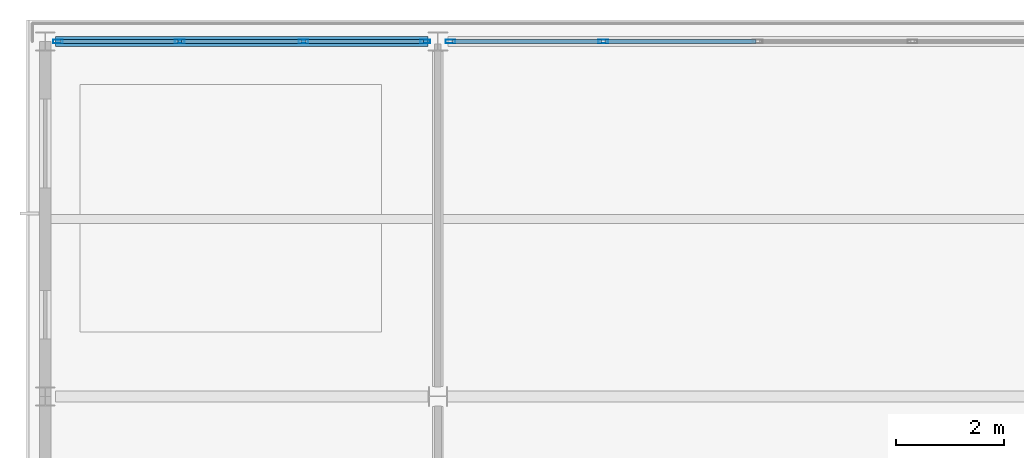
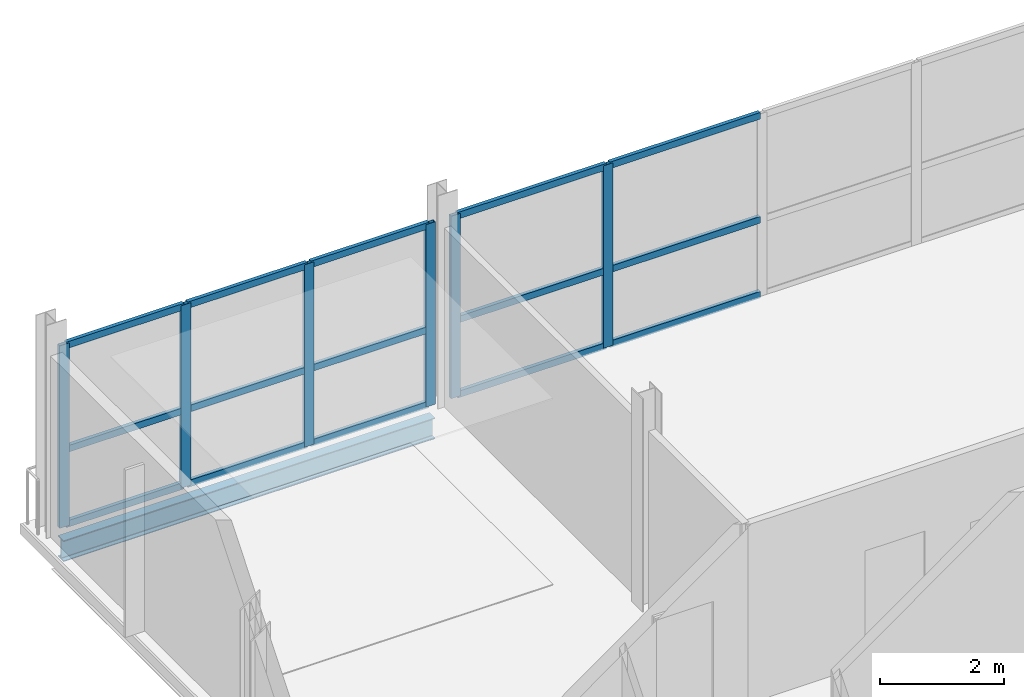
# One storey, part 7 of 17: 21 members, 1 beam, 2 elements without a shape of their own.
"""IFC4 building model written with IfcOpenShell, lengths in metres."""

import ifcopenshell
import ifcopenshell.guid

model = None  # the IFC model being written
_history = None  # IfcOwnerHistory: only IFC2X3 demands one
_inside = {}  # id of a spatial element -> (the spatial element, [elements in it])
_under = {}  # id of a project, library or spatial element -> (it, [spatial elements below it])
_declared = {}  # id of a project -> (the project, [libraries it declares])
_typed = {}  # id of a type object -> (the type object, [elements of that type])
_made_of = {}  # id of a material, layer set ... -> (it, [elements and type objects made of it])


def new_model(schema):
    """Start an empty IFC model of exactly this schema.

    Asked for "IFC4X3", IfcOpenShell would pick the latest addendum, in which some entities
    have other attributes; the version numbers below select the first issue.
    IFC2X3 requires an IfcOwnerHistory on every rooted entity: one is made here for all.
    """
    global model, _history
    if schema == "IFC4X3":
        model = ifcopenshell.file(schema_version=(4, 3, 0, 0))
    else:
        model = ifcopenshell.file(schema=schema)
    _inside.clear()
    _under.clear()
    _declared.clear()
    _typed.clear()
    _made_of.clear()
    _history = None
    if model.schema == "IFC2X3":
        org = make("IfcOrganization", Name="unknown")
        user = make(
            "IfcPersonAndOrganization",
            ThePerson=make("IfcPerson", FamilyName="unknown"),
            TheOrganization=org,
        )
        app = make(
            "IfcApplication",
            ApplicationDeveloper=org,
            Version="unknown",
            ApplicationFullName="unknown",
            ApplicationIdentifier="unknown",
        )
        _history = make(
            "IfcOwnerHistory",
            OwningUser=user,
            OwningApplication=app,
            ChangeAction="ADDED",
            CreationDate=0,
        )
    return model


def make(cls, **values):
    """One entity of the class cls with the attributes given. An attribute that is None is left unset."""
    return model.create_entity(
        cls, **{name: value for name, value in values.items() if value is not None}
    )


def rooted(cls, **values):
    """An entity with a GlobalId (a new one), such as an element, a storey or a relation."""
    return make(cls, GlobalId=ifcopenshell.guid.new(), OwnerHistory=_history, **values)


def si_unit(unit_type, name, prefix=None):
    """IfcSIUnit, for example si_unit("LENGTHUNIT", "METRE", prefix="MILLI")."""
    return make("IfcSIUnit", UnitType=unit_type, Prefix=prefix, Name=name)


def assignment(units):
    """IfcUnitAssignment: the units of a project."""
    return None if units is None else make("IfcUnitAssignment", Units=units)


def point(xyz):
    """IfcCartesianPoint."""
    return None if xyz is None else make("IfcCartesianPoint", Coordinates=xyz)


def direction(xyz):
    """IfcDirection."""
    return None if xyz is None else make("IfcDirection", DirectionRatios=xyz)


def frame(location, z_axis=None, x_axis=None):
    """IfcAxis2Placement3D, a coordinate frame: its origin and axes. An axis left out is left unset."""
    return make(
        "IfcAxis2Placement3D",
        Location=point(location),
        Axis=direction(z_axis),
        RefDirection=direction(x_axis),
    )


def frame_2d(location, x_axis=None):
    """IfcAxis2Placement2D, a coordinate frame in the plane: its origin and x axis."""
    return make(
        "IfcAxis2Placement2D", Location=point(location), RefDirection=direction(x_axis)
    )


def origin():
    """The frame at (0, 0, 0) with its axes left unset."""
    return frame((0.0, 0.0, 0.0))


def origin_2d():
    """The frame at (0, 0) in the plane with its x axis left unset."""
    return frame_2d((0.0, 0.0))


def place(relative_to, where):
    """IfcLocalPlacement: puts the frame where relative to a parent placement (None: the world)."""
    return make(
        "IfcLocalPlacement", PlacementRelTo=relative_to, RelativePlacement=where
    )


def context(
    kind, dimensions, precision=None, world=None, true_north=None, identifier=None
):
    """IfcGeometricRepresentationContext, for example the 3D "Model" context."""
    return make(
        "IfcGeometricRepresentationContext",
        ContextIdentifier=identifier,
        ContextType=kind,
        CoordinateSpaceDimension=dimensions,
        Precision=precision,
        WorldCoordinateSystem=world,
        TrueNorth=true_north,
    )


def subcontext(parent, identifier, kind, view, scale=None):
    """IfcGeometricRepresentationSubContext, for example "Body" below "Model"."""
    return make(
        "IfcGeometricRepresentationSubContext",
        ContextIdentifier=identifier,
        ContextType=kind,
        ParentContext=parent,
        TargetScale=scale,
        TargetView=view,
    )


def project(units=None, contexts=None):
    """IfcProject with its units and contexts."""
    return rooted(
        "IfcProject",
        Name="project",
        RepresentationContexts=contexts,
        UnitsInContext=assignment(units),
    )


def spatial(cls, under=None, at=None, **own):
    """A site, building, storey or space (cls), placed at a placement, below another one or the project."""
    s = rooted(cls, ObjectPlacement=at, **own)
    if under is not None:
        _under.setdefault(under.id(), (under, []))[1].append(s)
    return s


def profile(cls, at=None, kind="AREA", **sizes):
    """A parametric profile (cls). Its sizes go by their IFC names, for example OverallWidth=200.0."""
    return make(cls, ProfileType=kind, Position=at, **sizes)


def hollow_rectangle(**sizes):
    """IfcRectangleHollowProfileDef."""
    return profile("IfcRectangleHollowProfileDef", **sizes)


def i_section(**sizes):
    """IfcIShapeProfileDef."""
    return profile("IfcIShapeProfileDef", **sizes)


def extrude(swept, where, along, depth):
    """IfcExtrudedAreaSolid: the profile swept, set in the frame where, extruded along a direction by depth."""
    return make(
        "IfcExtrudedAreaSolid",
        SweptArea=swept,
        Position=where,
        ExtrudedDirection=direction(along),
        Depth=depth,
    )


def shape(context_of_items, identifier, shape_type, items):
    """IfcShapeRepresentation: the items that make up one representation, for example the "Body"."""
    return make(
        "IfcShapeRepresentation",
        ContextOfItems=context_of_items,
        RepresentationIdentifier=identifier,
        RepresentationType=shape_type,
        Items=items,
    )


def material(Name=None, Category=None):
    """IfcMaterial."""
    return make("IfcMaterial", Name=Name, Category=Category)


def layer(
    of_material, thickness, ventilated=None, Name=None, Category=None, Priority=None
):
    """IfcMaterialLayer: one layer of a wall or slab, of a material (None: an air gap)."""
    return make(
        "IfcMaterialLayer",
        Material=of_material,
        LayerThickness=thickness,
        IsVentilated=ventilated,
        Name=Name,
        Category=Category,
        Priority=Priority,
    )


def layer_set(layers, Name=None):
    """IfcMaterialLayerSet."""
    return make("IfcMaterialLayerSet", MaterialLayers=layers, LayerSetName=Name)


def material_profile(
    of_material, cross_section, Name=None, Category=None, Priority=None
):
    """IfcMaterialProfile: a cross section and its material."""
    return make(
        "IfcMaterialProfile",
        Name=Name,
        Material=of_material,
        Profile=cross_section,
        Priority=Priority,
        Category=Category,
    )


def profile_set(profiles, Name=None, composite=None):
    """IfcMaterialProfileSet."""
    return make(
        "IfcMaterialProfileSet",
        Name=Name,
        MaterialProfiles=profiles,
        CompositeProfile=composite,
    )


def made_of(thing, what):
    """Note that an element or type object is made of a material, layer set ...; save() writes the relation."""
    if what is not None:
        _made_of.setdefault(what.id(), (what, []))[1].append(thing)
    return thing


def type_object(cls, material=None, **own):
    """A type object (cls), such as IfcWallType, which elements share."""
    return made_of(rooted(cls, **own), material)


def element(
    cls,
    number,
    at=None,
    inside=None,
    cuts=None,
    type_object=None,
    material=None,
    context=None,
    identifier="Body",
    shape_type=None,
    held_by="IfcProductDefinitionShape",
    body=None,
    shapes=None,
    **own,
):
    """One element of the class cls, such as IfcWall. Its Tag is "e" and its number.

    at: its placement. inside: the storey or other place that contains it. cuts: it is an
    opening in that element (IfcRelVoidsElement). A single representation is given by context,
    identifier, shape_type and body (its items); several are given by shapes. held_by: the class
    of the entity that holds the representations. save() writes the other relations.
    """
    e = rooted(cls, Tag="e%d" % number, ObjectPlacement=at, **own)
    if body is not None:
        shapes = [shape(context, identifier, shape_type, body)]
    if shapes is not None:
        e.Representation = make(held_by, Representations=shapes)
    if inside is not None:
        _inside.setdefault(inside.id(), (inside, []))[1].append(e)
    if cuts is not None:
        rooted(
            "IfcRelVoidsElement", RelatingBuildingElement=cuts, RelatedOpeningElement=e
        )
    if type_object is not None:
        _typed.setdefault(type_object.id(), (type_object, []))[1].append(e)
    return made_of(e, material)


def aggregate(whole, parts):
    """IfcRelAggregates: a whole, such as a stair, and the parts it consists of."""
    return rooted("IfcRelAggregates", RelatingObject=whole, RelatedObjects=parts)


def save(model, path):
    """Write the relations noted so far, then the file.

    IfcRelAggregates (storeys below a building ...), IfcRelContainedInSpatialStructure (elements
    in a storey), IfcRelDefinesByType, IfcRelAssociatesMaterial and IfcRelDeclares: one each for
    every whole, place, type object, material and project.
    """
    for whole, parts in _under.values():
        aggregate(whole, parts)
    for where, things in _inside.values():
        rooted(
            "IfcRelContainedInSpatialStructure",
            RelatedElements=things,
            RelatingStructure=where,
        )
    for kind, things in _typed.values():
        rooted("IfcRelDefinesByType", RelatedObjects=things, RelatingType=kind)
    for what, things in _made_of.values():
        rooted("IfcRelAssociatesMaterial", RelatedObjects=things, RelatingMaterial=what)
    for by, libraries in _declared.values():
        rooted("IfcRelDeclares", RelatingContext=by, RelatedDefinitions=libraries)
    model.write(path)


model = new_model("IFC4")

# Units and contexts
model_context = context("Model", 3, precision=1e-05, world=origin(), true_north=direction((0.0, 1.0)))
body_context = subcontext(model_context, "Body", "Model", "MODEL_VIEW")
ifc_project = project(units=[si_unit("LENGTHUNIT", "METRE"), si_unit("AREAUNIT", "SQUARE_METRE"), si_unit("VOLUMEUNIT", "CUBIC_METRE"), si_unit("PLANEANGLEUNIT", "RADIAN"), si_unit("MASSUNIT", "GRAM", prefix="KILO")], contexts=[model_context])

# Site, building, storey
site_placement = place(None, origin())
site = spatial("IfcSite", under=ifc_project, at=site_placement, CompositionType="ELEMENT")
building_placement = place(site_placement, origin())
building = spatial("IfcBuilding", under=site, at=building_placement, Name="Quillay Park Conservatory", CompositionType="ELEMENT")
storey_placement = place(building_placement, frame((0.0, 0.0, 47.699951171875)))
storey = spatial("IfcBuildingStorey", under=building, at=storey_placement, Name="L11", CompositionType="ELEMENT", Elevation=47.699951171875)

# Curtain wall, members
ifc_material_1 = material(Name="Thermally Broken Anodised Aluminium 6063-T6", Category="aluminium")
ifc_layer = layer(ifc_material_1, 0.179931640625)
ifc_layer_set = layer_set([ifc_layer], Name="UNITISED CURTAIN WALL TOWER (Thermally Broken Anodised Aluminium 6063-T6)")
curtain_wall_type = type_object("IfcCurtainWallType", Name="UNITISED CURTAIN WALL TOWER", PredefinedType="USERDEFINED", material=ifc_layer_set)
curtain_wall_1_placement = place(storey_placement, origin())
curtain_wall_1 = element("IfcCurtainWall", 1, at=curtain_wall_1_placement, inside=storey, type_object=curtain_wall_type, Name="L11 Unitised Curtain Wall 110", ObjectType="UNITISED CURTAIN WALL", PredefinedType="USERDEFINED")
ifc_material_2 = material(Name="Thermally Broken Anodised Aluminium 6063-T6", Category="aluminium")
ifc_material_profile_1 = material_profile(ifc_material_2, hollow_rectangle(XDim=0.070068359375, YDim=0.179931640625, WallThickness=0.00390625, at=origin_2d()), Name="AL70x180x4")
ifc_profile_set_1 = profile_set([ifc_material_profile_1], Name="Thermally Broken Anodised Aluminium 6063-T6")
member_type_1 = type_object("IfcMemberType", Name="CURTAIN WALL MULLION 70 X180", PredefinedType="MULLION", material=ifc_profile_set_1)
member_1_placement = place(storey_placement, frame((0.784912109375, 113.39990234375, 0.0), z_axis=(0.0, 0.0, 1.0), x_axis=(0.0, 1.0, 0.0)))
member_1 = element("IfcMember", 2, at=member_1_placement, type_object=member_type_1, Name="CW-T1 mullion 1", PredefinedType="MULLION", context=body_context, shape_type="SweptSolid", body=[
    extrude(hollow_rectangle(XDim=0.070068359375, YDim=0.179931640625, WallThickness=0.00390625, at=origin_2d()), origin(), (0.0, 0.0, 1.0), 3.59912109375),
])
member_2_placement = place(storey_placement, frame((3.050048828125, 113.39990234375, 0.0), z_axis=(0.0, 0.0, 1.0), x_axis=(0.0, 1.0, 0.0)))
member_2 = element("IfcMember", 3, at=member_2_placement, type_object=member_type_1, Name="CW-T1 mullion 2", PredefinedType="MULLION", context=body_context, shape_type="SweptSolid", body=[
    extrude(hollow_rectangle(XDim=0.070068359375, YDim=0.179931640625, WallThickness=0.00390625, at=origin_2d()), origin(), (0.0, 0.0, 1.0), 3.59912109375),
])
member_3_placement = place(storey_placement, frame((5.35009765625, 113.39990234375, 0.0), z_axis=(0.0, 0.0, 1.0), x_axis=(0.0, 1.0, 0.0)))
member_3 = element("IfcMember", 4, at=member_3_placement, type_object=member_type_1, Name="CW-T1 mullion 3", PredefinedType="MULLION", context=body_context, shape_type="SweptSolid", body=[
    extrude(hollow_rectangle(XDim=0.070068359375, YDim=0.179931640625, WallThickness=0.00390625, at=origin_2d()), origin(), (0.0, 0.0, 1.0), 3.59912109375),
])
member_4_placement = place(storey_placement, frame((7.614990234375, 113.39990234375, 0.0), z_axis=(0.0, 0.0, 1.0), x_axis=(0.0, 1.0, 0.0)))
member_4 = element("IfcMember", 5, at=member_4_placement, type_object=member_type_1, Name="CW-T1 mullion 4", PredefinedType="MULLION", context=body_context, shape_type="SweptSolid", body=[
    extrude(hollow_rectangle(XDim=0.070068359375, YDim=0.179931640625, WallThickness=0.00390625, at=origin_2d()), origin(), (0.0, 0.0, 1.0), 3.59912109375),
])

curtain_wall_2_placement = place(storey_placement, origin())
curtain_wall_2 = element("IfcCurtainWall", 6, at=curtain_wall_2_placement, inside=storey, type_object=curtain_wall_type, Name="L11 Unitised Curtain Wall 111", ObjectType="UNITISED CURTAIN WALL", PredefinedType="USERDEFINED")
member_5_placement = place(storey_placement, frame((8.0849609375, 113.39990234375, 0.0), z_axis=(0.0, 0.0, 1.0), x_axis=(0.0, 1.0, 0.0)))
member_5 = element("IfcMember", 7, at=member_5_placement, type_object=member_type_1, Name="CW-T1 mullion 1", PredefinedType="MULLION", context=body_context, shape_type="SweptSolid", body=[
    extrude(hollow_rectangle(XDim=0.070068359375, YDim=0.179931640625, WallThickness=0.00390625, at=origin_2d()), origin(), (0.0, 0.0, 1.0), 3.59912109375),
])
member_6_placement = place(storey_placement, frame((10.925048828125, 113.39990234375, 0.0), z_axis=(0.0, 0.0, 1.0), x_axis=(0.0, 1.0, 0.0)))
member_6 = element("IfcMember", 8, at=member_6_placement, type_object=member_type_1, Name="CW-T1 mullion 2", PredefinedType="MULLION", context=body_context, shape_type="SweptSolid", body=[
    extrude(hollow_rectangle(XDim=0.070068359375, YDim=0.179931640625, WallThickness=0.00390625, at=origin_2d()), origin(), (0.0, 0.0, 1.0), 3.59912109375),
])

# Member
ifc_material_3 = material(Name="Thermally Broken Anodised Aluminium 6063-T6", Category="aluminium")
ifc_material_profile_2 = material_profile(ifc_material_3, hollow_rectangle(XDim=0.070068359375, YDim=0.1298828125, WallThickness=0.003173828125, at=origin_2d()), Name="AL70x130x3.2")
ifc_profile_set_2 = profile_set([ifc_material_profile_2], Name="Thermally Broken Anodised Aluminium 6063-T6")
member_type_2 = type_object("IfcMemberType", Name="CURTAIN WALL TRANSOM 70 X130", PredefinedType="USERDEFINED", material=ifc_profile_set_2)
member_7_placement = place(storey_placement, frame((0.820068359375, 113.39990234375, 0.03515625), z_axis=(1.0, 0.0, 0.0), x_axis=(0.0, 1.0, 0.0)))
member_7 = element("IfcMember", 9, at=member_7_placement, type_object=member_type_2, Name="CW-T1 transom 1.1", ObjectType="TRANSOM", PredefinedType="USERDEFINED", context=body_context, shape_type="SweptSolid", body=[
    extrude(hollow_rectangle(XDim=0.070068359375, YDim=0.1298828125, WallThickness=0.003173828125, at=origin_2d()), origin(), (0.0, 0.0, 1.0), 2.19482421875),
])

member_8_placement = place(storey_placement, frame((0.820068359375, 113.39990234375, 1.51171875), z_axis=(1.0, 0.0, 0.0), x_axis=(0.0, 1.0, 0.0)))
member_8 = element("IfcMember", 10, at=member_8_placement, type_object=member_type_2, Name="CW-T1 transom 1.2", ObjectType="TRANSOM", PredefinedType="USERDEFINED", context=body_context, shape_type="SweptSolid", body=[
    extrude(hollow_rectangle(XDim=0.070068359375, YDim=0.1298828125, WallThickness=0.003173828125, at=origin_2d()), origin(), (0.0, 0.0, 1.0), 2.19482421875),
])

member_9_placement = place(storey_placement, frame((0.820068359375, 113.39990234375, 3.56396484375), z_axis=(1.0, 0.0, 0.0), x_axis=(0.0, 1.0, 0.0)))
member_9 = element("IfcMember", 11, at=member_9_placement, type_object=member_type_2, Name="CW-T1 transom 1.3", ObjectType="TRANSOM", PredefinedType="USERDEFINED", context=body_context, shape_type="SweptSolid", body=[
    extrude(hollow_rectangle(XDim=0.070068359375, YDim=0.1298828125, WallThickness=0.003173828125, at=origin_2d()), origin(), (0.0, 0.0, 1.0), 2.19482421875),
])

member_10_placement = place(storey_placement, frame((3.0849609375, 113.39990234375, 0.03515625), z_axis=(1.0, 0.0, 0.0), x_axis=(0.0, 1.0, 0.0)))
member_10 = element("IfcMember", 12, at=member_10_placement, type_object=member_type_2, Name="CW-T1 transom 2.1", ObjectType="TRANSOM", PredefinedType="USERDEFINED", context=body_context, shape_type="SweptSolid", body=[
    extrude(hollow_rectangle(XDim=0.070068359375, YDim=0.1298828125, WallThickness=0.003173828125, at=origin_2d()), origin(), (0.0, 0.0, 1.0), 2.22998046875),
])

member_11_placement = place(storey_placement, frame((3.0849609375, 113.39990234375, 1.51171875), z_axis=(1.0, 0.0, 0.0), x_axis=(0.0, 1.0, 0.0)))
member_11 = element("IfcMember", 13, at=member_11_placement, type_object=member_type_2, Name="CW-T1 transom 2.2", ObjectType="TRANSOM", PredefinedType="USERDEFINED", context=body_context, shape_type="SweptSolid", body=[
    extrude(hollow_rectangle(XDim=0.070068359375, YDim=0.1298828125, WallThickness=0.003173828125, at=origin_2d()), origin(), (0.0, 0.0, 1.0), 2.22998046875),
])

member_12_placement = place(storey_placement, frame((3.0849609375, 113.39990234375, 3.56396484375), z_axis=(1.0, 0.0, 0.0), x_axis=(0.0, 1.0, 0.0)))
member_12 = element("IfcMember", 14, at=member_12_placement, type_object=member_type_2, Name="CW-T1 transom 2.3", ObjectType="TRANSOM", PredefinedType="USERDEFINED", context=body_context, shape_type="SweptSolid", body=[
    extrude(hollow_rectangle(XDim=0.070068359375, YDim=0.1298828125, WallThickness=0.003173828125, at=origin_2d()), origin(), (0.0, 0.0, 1.0), 2.22998046875),
])

member_13_placement = place(storey_placement, frame((5.385009765625, 113.39990234375, 0.03515625), z_axis=(1.0, 0.0, 0.0), x_axis=(0.0, 1.0, 0.0)))
member_13 = element("IfcMember", 15, at=member_13_placement, type_object=member_type_2, Name="CW-T1 transom 3.1", ObjectType="TRANSOM", PredefinedType="USERDEFINED", context=body_context, shape_type="SweptSolid", body=[
    extrude(hollow_rectangle(XDim=0.070068359375, YDim=0.1298828125, WallThickness=0.003173828125, at=origin_2d()), origin(), (0.0, 0.0, 1.0), 2.195068359375),
])

member_14_placement = place(storey_placement, frame((5.385009765625, 113.39990234375, 1.51171875), z_axis=(1.0, 0.0, 0.0), x_axis=(0.0, 1.0, 0.0)))
member_14 = element("IfcMember", 16, at=member_14_placement, type_object=member_type_2, Name="CW-T1 transom 3.2", ObjectType="TRANSOM", PredefinedType="USERDEFINED", context=body_context, shape_type="SweptSolid", body=[
    extrude(hollow_rectangle(XDim=0.070068359375, YDim=0.1298828125, WallThickness=0.003173828125, at=origin_2d()), origin(), (0.0, 0.0, 1.0), 2.195068359375),
])

member_15_placement = place(storey_placement, frame((5.385009765625, 113.39990234375, 3.56396484375), z_axis=(1.0, 0.0, 0.0), x_axis=(0.0, 1.0, 0.0)))
member_15 = element("IfcMember", 17, at=member_15_placement, type_object=member_type_2, Name="CW-T1 transom 3.3", ObjectType="TRANSOM", PredefinedType="USERDEFINED", context=body_context, shape_type="SweptSolid", body=[
    extrude(hollow_rectangle(XDim=0.070068359375, YDim=0.1298828125, WallThickness=0.003173828125, at=origin_2d()), origin(), (0.0, 0.0, 1.0), 2.195068359375),
])

aggregate(curtain_wall_1, [member_1, member_2, member_3, member_4, member_7, member_8, member_9, member_10, member_11, member_12, member_13, member_14, member_15])

member_16_placement = place(storey_placement, frame((8.1201171875, 113.39990234375, 0.03515625), z_axis=(1.0, 0.0, 0.0), x_axis=(0.0, 1.0, 0.0)))
member_16 = element("IfcMember", 18, at=member_16_placement, type_object=member_type_2, Name="CW-T1 transom 1.1", ObjectType="TRANSOM", PredefinedType="USERDEFINED", context=body_context, shape_type="SweptSolid", body=[
    extrude(hollow_rectangle(XDim=0.070068359375, YDim=0.1298828125, WallThickness=0.003173828125, at=origin_2d()), origin(), (0.0, 0.0, 1.0), 2.769775390625),
])

member_17_placement = place(storey_placement, frame((8.1201171875, 113.39990234375, 1.51171875), z_axis=(1.0, 0.0, 0.0), x_axis=(0.0, 1.0, 0.0)))
member_17 = element("IfcMember", 19, at=member_17_placement, type_object=member_type_2, Name="CW-T1 transom 1.2", ObjectType="TRANSOM", PredefinedType="USERDEFINED", context=body_context, shape_type="SweptSolid", body=[
    extrude(hollow_rectangle(XDim=0.070068359375, YDim=0.1298828125, WallThickness=0.003173828125, at=origin_2d()), origin(), (0.0, 0.0, 1.0), 2.769775390625),
])

member_18_placement = place(storey_placement, frame((8.1201171875, 113.39990234375, 3.56396484375), z_axis=(1.0, 0.0, 0.0), x_axis=(0.0, 1.0, 0.0)))
member_18 = element("IfcMember", 20, at=member_18_placement, type_object=member_type_2, Name="CW-T1 transom 1.3", ObjectType="TRANSOM", PredefinedType="USERDEFINED", context=body_context, shape_type="SweptSolid", body=[
    extrude(hollow_rectangle(XDim=0.070068359375, YDim=0.1298828125, WallThickness=0.003173828125, at=origin_2d()), origin(), (0.0, 0.0, 1.0), 2.769775390625),
])

member_19_placement = place(storey_placement, frame((10.9599609375, 113.39990234375, 0.03515625), z_axis=(1.0, 0.0, 0.0), x_axis=(0.0, 1.0, 0.0)))
member_19 = element("IfcMember", 21, at=member_19_placement, type_object=member_type_2, Name="CW-T1 transom 2.1", ObjectType="TRANSOM", PredefinedType="USERDEFINED", context=body_context, shape_type="SweptSolid", body=[
    extrude(hollow_rectangle(XDim=0.070068359375, YDim=0.1298828125, WallThickness=0.003173828125, at=origin_2d()), origin(), (0.0, 0.0, 1.0), 2.804931640625),
])

member_20_placement = place(storey_placement, frame((10.9599609375, 113.39990234375, 1.51171875), z_axis=(1.0, 0.0, 0.0), x_axis=(0.0, 1.0, 0.0)))
member_20 = element("IfcMember", 22, at=member_20_placement, type_object=member_type_2, Name="CW-T1 transom 2.2", ObjectType="TRANSOM", PredefinedType="USERDEFINED", context=body_context, shape_type="SweptSolid", body=[
    extrude(hollow_rectangle(XDim=0.070068359375, YDim=0.1298828125, WallThickness=0.003173828125, at=origin_2d()), origin(), (0.0, 0.0, 1.0), 2.804931640625),
])

member_21_placement = place(storey_placement, frame((10.9599609375, 113.39990234375, 3.56396484375), z_axis=(1.0, 0.0, 0.0), x_axis=(0.0, 1.0, 0.0)))
member_21 = element("IfcMember", 23, at=member_21_placement, type_object=member_type_2, Name="CW-T1 transom 2.3", ObjectType="TRANSOM", PredefinedType="USERDEFINED", context=body_context, shape_type="SweptSolid", body=[
    extrude(hollow_rectangle(XDim=0.070068359375, YDim=0.1298828125, WallThickness=0.003173828125, at=origin_2d()), origin(), (0.0, 0.0, 1.0), 2.804931640625),
])

aggregate(curtain_wall_2, [member_5, member_6, member_16, member_17, member_18, member_19, member_20, member_21])

# Beam
ifc_material_4 = material(Name="Steel ASTM A992 Grade 50", Category="steel")
ifc_material_profile_3 = material_profile(ifc_material_4, i_section(OverallWidth=0.179931640625, OverallDepth=0.4130859375, WebThickness=0.009765625, FlangeThickness=0.01611328125, FilletRadius=0.011962890625, at=origin_2d()), Name="W410x74")
ifc_profile_set_3 = profile_set([ifc_material_profile_3], Name="Steel ASTM A992 Grade 50")
beam_type = type_object("IfcBeamType", Name="PERIMETER SPANDREL BEAM W410 X74", PredefinedType="SPANDREL", material=ifc_profile_set_3)
beam_placement = place(storey_placement, frame((0.735595703125, 113.39990234375, -0.431396484375), z_axis=(1.0, 0.0, 0.0), x_axis=(0.0, 1.0, 0.0)))
element("IfcBeam", 24, at=beam_placement, inside=storey, type_object=beam_type, Name="L11 beam BM-SP-0784", PredefinedType="SPANDREL", context=body_context, shape_type="SweptSolid", body=[
    extrude(i_section(OverallWidth=0.179931640625, OverallDepth=0.4130859375, WebThickness=0.009765625, FlangeThickness=0.01611328125, FilletRadius=0.011962890625, at=origin_2d()), origin(), (0.0, 0.0, 1.0), 6.928955078125),
])

save(model, "model.ifc")
